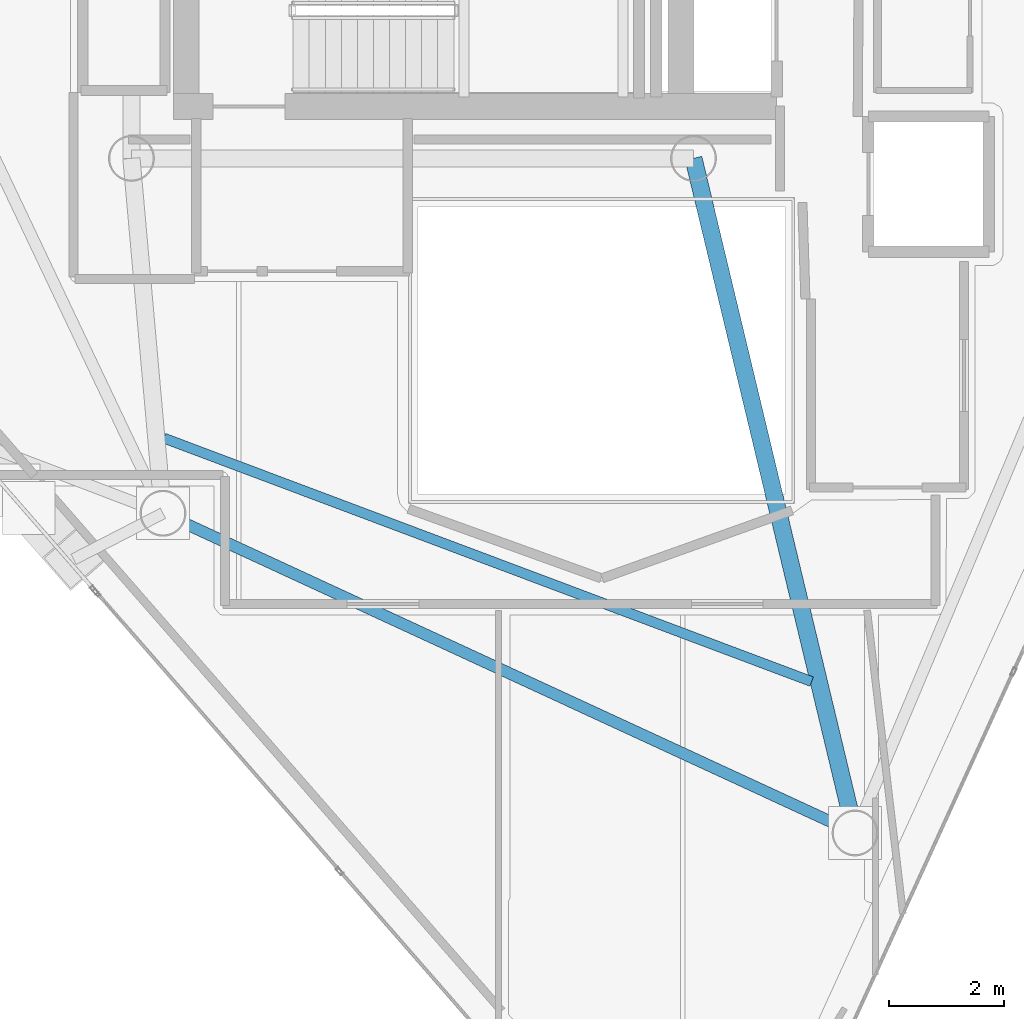
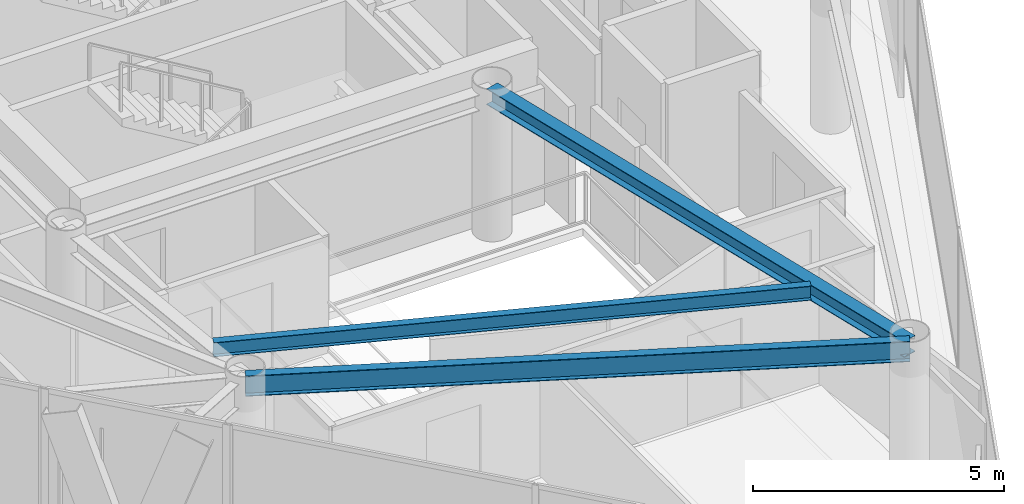
# One storey, part 4 of 19: 3 beams.
"""IFC4 building model written with IfcOpenShell, lengths in metres."""

from ifc_helpers import new_model, si_unit, direction, frame, origin, origin_2d, place, context, subcontext, project, spatial, i_section, extrude, material, material_profile, profile_set, type_object, element, save


model = new_model("IFC4")

# Units and contexts
model_context = context("Model", 3, precision=1e-05, world=origin(), true_north=direction((0.0, 1.0)))
body_context = subcontext(model_context, "Body", "Model", "MODEL_VIEW")
ifc_project = project(units=[si_unit("LENGTHUNIT", "METRE"), si_unit("AREAUNIT", "SQUARE_METRE"), si_unit("VOLUMEUNIT", "CUBIC_METRE"), si_unit("PLANEANGLEUNIT", "RADIAN"), si_unit("MASSUNIT", "GRAM", prefix="KILO")], contexts=[model_context])

# Site, building, storey
site_placement = place(None, origin())
site = spatial("IfcSite", under=ifc_project, at=site_placement, CompositionType="ELEMENT")
building_placement = place(site_placement, origin())
building = spatial("IfcBuilding", under=site, at=building_placement, Name="Qianvela Tower", CompositionType="ELEMENT")
storey_placement = place(building_placement, frame((0.0, 0.0, 325.89990234375)))
storey = spatial("IfcBuildingStorey", under=building, at=storey_placement, Name="L84", CompositionType="ELEMENT", Elevation=325.89990234375)

# Beams
ifc_material_1 = material(Name="Steel Q355B", Category="steel")
ifc_material_profile_1 = material_profile(ifc_material_1, i_section(OverallWidth=0.300048828125, OverallDepth=0.389892578125, WebThickness=0.010009765625, FlangeThickness=0.01611328125, at=origin_2d()), Name="HM390x300x10x16")
ifc_profile_set_1 = profile_set([ifc_material_profile_1], Name="Steel Q355B")
beam_type_1 = type_object("IfcBeamType", Name="BM-HM390-COLL", PredefinedType="BEAM", material=ifc_profile_set_1)
beam_1_placement = place(storey_placement, frame((38.39990234375, 23.85009765625, 3.322998046875), z_axis=(0.232920204523, -0.97249585003, 0.0), x_axis=(0.97249585003, 0.232920204523, 0.0)))
element("IfcBeam", 1, at=beam_1_placement, inside=storey, type_object=beam_type_1, Name="L84 Radial Primary Floor Girder 5", PredefinedType="BEAM", context=body_context, shape_type="SweptSolid", body=[
    extrude(i_section(OverallWidth=0.300048828125, OverallDepth=0.389892578125, WebThickness=0.010009765625, FlangeThickness=0.01611328125, at=origin_2d()), origin(), (0.0, 0.0, 1.0), 12.094970703125),
])
ifc_material_2 = material(Name="Steel Q355B", Category="steel")
ifc_material_profile_2 = material_profile(ifc_material_2, i_section(OverallWidth=0.175048828125, OverallDepth=0.35009765625, WebThickness=0.007080078125, FlangeThickness=0.010986328125, at=origin_2d()), Name="HN350x175x7x11")
ifc_profile_set_2 = profile_set([ifc_material_profile_2], Name="Steel Q355B")
beam_type_2 = type_object("IfcBeamType", Name="BM-HN350-JOIST", PredefinedType="JOIST", material=ifc_profile_set_2)
beam_2_placement = place(storey_placement, frame((29.165771484375, 18.971923828125, 3.343017578125), z_axis=(0.936076156518, -0.351797426366, 0.0), x_axis=(0.351797426366, 0.936076156518, 0.0)))
element("IfcBeam", 2, at=beam_2_placement, inside=storey, type_object=beam_type_2, Name="L84 Secondary Composite Floor Joist 4.3", PredefinedType="JOIST", context=body_context, shape_type="SweptSolid", body=[
    extrude(i_section(OverallWidth=0.175048828125, OverallDepth=0.35009765625, WebThickness=0.007080078125, FlangeThickness=0.010986328125, at=origin_2d()), origin(), (0.0, 0.0, 1.0), 12.066162109375),
])
ifc_material_3 = material(Name="Steel Q355B", Category="steel")
ifc_material_profile_3 = material_profile(ifc_material_3, i_section(OverallWidth=0.199951171875, OverallDepth=0.5, WebThickness=0.010009765625, FlangeThickness=0.01611328125, at=origin_2d()), Name="HN500x200x10x16")
ifc_profile_set_3 = profile_set([ifc_material_profile_3], Name="Steel Q355B")
beam_type_3 = type_object("IfcBeamType", Name="BM-HN500-GIRD", PredefinedType="BEAM", material=ifc_profile_set_3)
beam_3_placement = place(storey_placement, frame((29.14990234375, 17.662109375, 3.26806640625), z_axis=(0.907822793776, -0.419353997359, 0.0), x_axis=(0.419353997359, 0.907822793776, 0.0)))
element("IfcBeam", 3, at=beam_3_placement, inside=storey, type_object=beam_type_3, Name="L84 Perimeter Ring Spandrel Girder 4", PredefinedType="BEAM", context=body_context, shape_type="SweptSolid", body=[
    extrude(i_section(OverallWidth=0.199951171875, OverallDepth=0.5, WebThickness=0.010009765625, FlangeThickness=0.01611328125, at=origin_2d()), origin(), (0.0, 0.0, 1.0), 13.29248046875),
])

save(model, "model.ifc")
